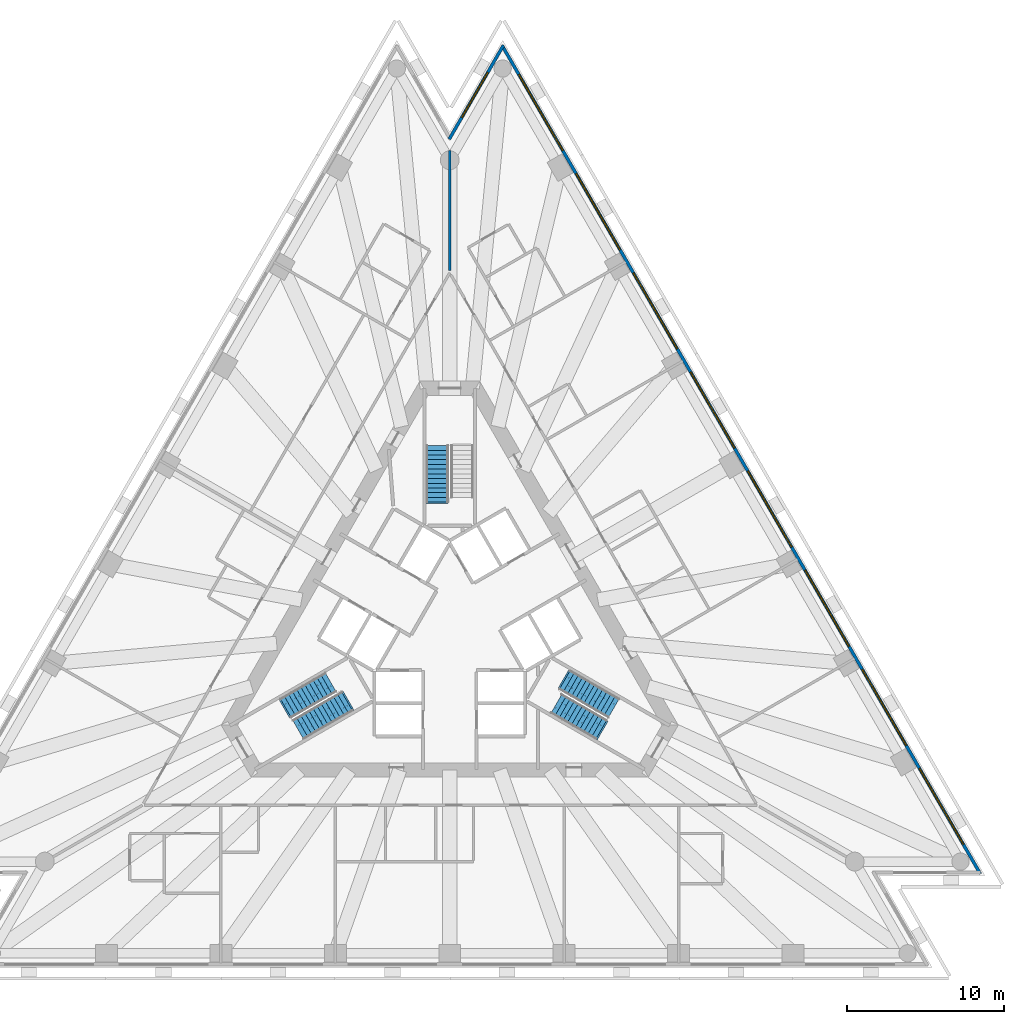
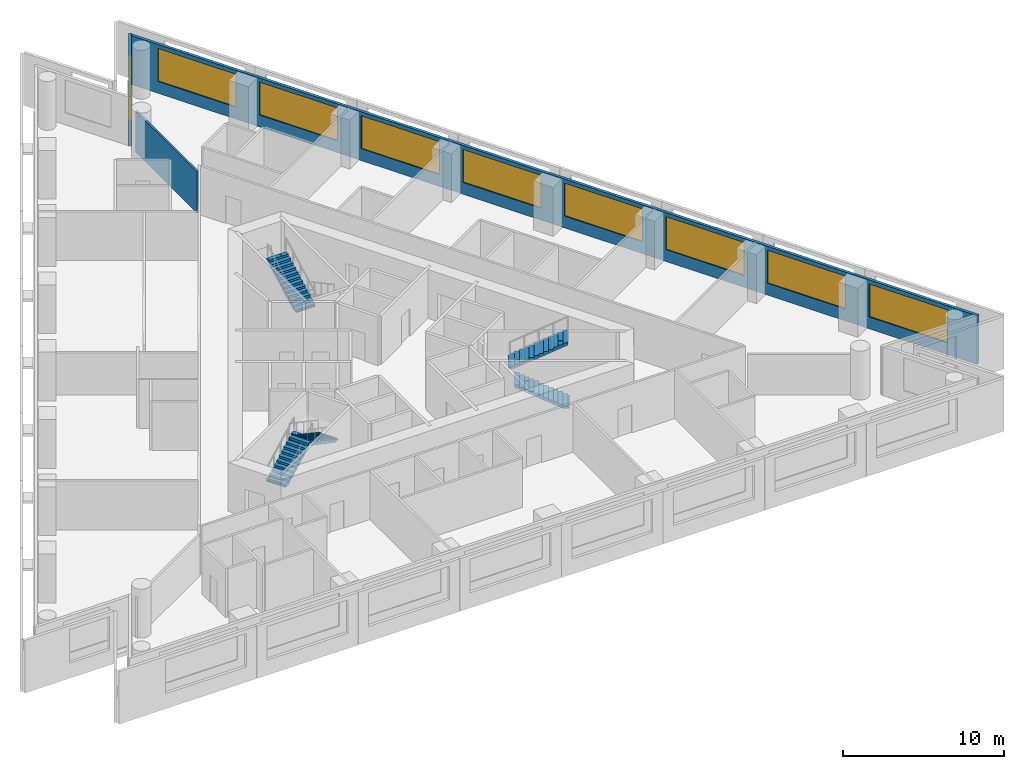
# One storey, part 8 of 11: 9 windows, 5 stair flights, 3 walls, 9 openings, 3 elements without a shape of their own.
"""IFC4 building model written with IfcOpenShell, lengths in metres."""

import ifcopenshell
import ifcopenshell.guid

model = None  # the IFC model being written
_history = None  # IfcOwnerHistory: only IFC2X3 demands one
_inside = {}  # id of a spatial element -> (the spatial element, [elements in it])
_under = {}  # id of a project, library or spatial element -> (it, [spatial elements below it])
_declared = {}  # id of a project -> (the project, [libraries it declares])
_typed = {}  # id of a type object -> (the type object, [elements of that type])
_made_of = {}  # id of a material, layer set ... -> (it, [elements and type objects made of it])


def new_model(schema):
    """Start an empty IFC model of exactly this schema.

    Asked for "IFC4X3", IfcOpenShell would pick the latest addendum, in which some entities
    have other attributes; the version numbers below select the first issue.
    IFC2X3 requires an IfcOwnerHistory on every rooted entity: one is made here for all.
    """
    global model, _history
    if schema == "IFC4X3":
        model = ifcopenshell.file(schema_version=(4, 3, 0, 0))
    else:
        model = ifcopenshell.file(schema=schema)
    _inside.clear()
    _under.clear()
    _declared.clear()
    _typed.clear()
    _made_of.clear()
    _history = None
    if model.schema == "IFC2X3":
        org = make("IfcOrganization", Name="unknown")
        user = make(
            "IfcPersonAndOrganization",
            ThePerson=make("IfcPerson", FamilyName="unknown"),
            TheOrganization=org,
        )
        app = make(
            "IfcApplication",
            ApplicationDeveloper=org,
            Version="unknown",
            ApplicationFullName="unknown",
            ApplicationIdentifier="unknown",
        )
        _history = make(
            "IfcOwnerHistory",
            OwningUser=user,
            OwningApplication=app,
            ChangeAction="ADDED",
            CreationDate=0,
        )
    return model


def make(cls, **values):
    """One entity of the class cls with the attributes given. An attribute that is None is left unset."""
    return model.create_entity(
        cls, **{name: value for name, value in values.items() if value is not None}
    )


def rooted(cls, **values):
    """An entity with a GlobalId (a new one), such as an element, a storey or a relation."""
    return make(cls, GlobalId=ifcopenshell.guid.new(), OwnerHistory=_history, **values)


def si_unit(unit_type, name, prefix=None):
    """IfcSIUnit, for example si_unit("LENGTHUNIT", "METRE", prefix="MILLI")."""
    return make("IfcSIUnit", UnitType=unit_type, Prefix=prefix, Name=name)


def assignment(units):
    """IfcUnitAssignment: the units of a project."""
    return None if units is None else make("IfcUnitAssignment", Units=units)


def point(xyz):
    """IfcCartesianPoint."""
    return None if xyz is None else make("IfcCartesianPoint", Coordinates=xyz)


def direction(xyz):
    """IfcDirection."""
    return None if xyz is None else make("IfcDirection", DirectionRatios=xyz)


def frame(location, z_axis=None, x_axis=None):
    """IfcAxis2Placement3D, a coordinate frame: its origin and axes. An axis left out is left unset."""
    return make(
        "IfcAxis2Placement3D",
        Location=point(location),
        Axis=direction(z_axis),
        RefDirection=direction(x_axis),
    )


def frame_2d(location, x_axis=None):
    """IfcAxis2Placement2D, a coordinate frame in the plane: its origin and x axis."""
    return make(
        "IfcAxis2Placement2D", Location=point(location), RefDirection=direction(x_axis)
    )


def origin():
    """The frame at (0, 0, 0) with its axes left unset."""
    return frame((0.0, 0.0, 0.0))


def place(relative_to, where):
    """IfcLocalPlacement: puts the frame where relative to a parent placement (None: the world)."""
    return make(
        "IfcLocalPlacement", PlacementRelTo=relative_to, RelativePlacement=where
    )


def context(
    kind, dimensions, precision=None, world=None, true_north=None, identifier=None
):
    """IfcGeometricRepresentationContext, for example the 3D "Model" context."""
    return make(
        "IfcGeometricRepresentationContext",
        ContextIdentifier=identifier,
        ContextType=kind,
        CoordinateSpaceDimension=dimensions,
        Precision=precision,
        WorldCoordinateSystem=world,
        TrueNorth=true_north,
    )


def subcontext(parent, identifier, kind, view, scale=None):
    """IfcGeometricRepresentationSubContext, for example "Body" below "Model"."""
    return make(
        "IfcGeometricRepresentationSubContext",
        ContextIdentifier=identifier,
        ContextType=kind,
        ParentContext=parent,
        TargetScale=scale,
        TargetView=view,
    )


def project(units=None, contexts=None):
    """IfcProject with its units and contexts."""
    return rooted(
        "IfcProject",
        Name="project",
        RepresentationContexts=contexts,
        UnitsInContext=assignment(units),
    )


def spatial(cls, under=None, at=None, **own):
    """A site, building, storey or space (cls), placed at a placement, below another one or the project."""
    s = rooted(cls, ObjectPlacement=at, **own)
    if under is not None:
        _under.setdefault(under.id(), (under, []))[1].append(s)
    return s


def polyline(points):
    """IfcPolyline through the points."""
    return make("IfcPolyline", Points=[point(p) for p in points])


def profile(cls, at=None, kind="AREA", **sizes):
    """A parametric profile (cls). Its sizes go by their IFC names, for example OverallWidth=200.0."""
    return make(cls, ProfileType=kind, Position=at, **sizes)


def rectangle(**sizes):
    """IfcRectangleProfileDef."""
    return profile("IfcRectangleProfileDef", **sizes)


def outline(outer, holes=None, kind="AREA"):
    """IfcArbitraryClosedProfileDef: a profile drawn as a closed curve; with holes, ...WithVoids."""
    if holes is None:
        return make("IfcArbitraryClosedProfileDef", ProfileType=kind, OuterCurve=outer)
    return make(
        "IfcArbitraryProfileDefWithVoids",
        ProfileType=kind,
        OuterCurve=outer,
        InnerCurves=holes,
    )


def extrude(swept, where, along, depth):
    """IfcExtrudedAreaSolid: the profile swept, set in the frame where, extruded along a direction by depth."""
    return make(
        "IfcExtrudedAreaSolid",
        SweptArea=swept,
        Position=where,
        ExtrudedDirection=direction(along),
        Depth=depth,
    )


def shape(context_of_items, identifier, shape_type, items):
    """IfcShapeRepresentation: the items that make up one representation, for example the "Body"."""
    return make(
        "IfcShapeRepresentation",
        ContextOfItems=context_of_items,
        RepresentationIdentifier=identifier,
        RepresentationType=shape_type,
        Items=items,
    )


def material(Name=None, Category=None):
    """IfcMaterial."""
    return make("IfcMaterial", Name=Name, Category=Category)


def layer(
    of_material, thickness, ventilated=None, Name=None, Category=None, Priority=None
):
    """IfcMaterialLayer: one layer of a wall or slab, of a material (None: an air gap)."""
    return make(
        "IfcMaterialLayer",
        Material=of_material,
        LayerThickness=thickness,
        IsVentilated=ventilated,
        Name=Name,
        Category=Category,
        Priority=Priority,
    )


def layer_set(layers, Name=None):
    """IfcMaterialLayerSet."""
    return make("IfcMaterialLayerSet", MaterialLayers=layers, LayerSetName=Name)


def layer_usage(for_layer_set, set_direction, sense, offset, extent=None):
    """IfcMaterialLayerSetUsage: how a layer set lies in its element."""
    return make(
        "IfcMaterialLayerSetUsage",
        ForLayerSet=for_layer_set,
        LayerSetDirection=set_direction,
        DirectionSense=sense,
        OffsetFromReferenceLine=offset,
        ReferenceExtent=extent,
    )


def made_of(thing, what):
    """Note that an element or type object is made of a material, layer set ...; save() writes the relation."""
    if what is not None:
        _made_of.setdefault(what.id(), (what, []))[1].append(thing)
    return thing


def type_object(cls, material=None, **own):
    """A type object (cls), such as IfcWallType, which elements share."""
    return made_of(rooted(cls, **own), material)


def element(
    cls,
    number,
    at=None,
    inside=None,
    cuts=None,
    type_object=None,
    material=None,
    context=None,
    identifier="Body",
    shape_type=None,
    held_by="IfcProductDefinitionShape",
    body=None,
    shapes=None,
    **own,
):
    """One element of the class cls, such as IfcWall. Its Tag is "e" and its number.

    at: its placement. inside: the storey or other place that contains it. cuts: it is an
    opening in that element (IfcRelVoidsElement). A single representation is given by context,
    identifier, shape_type and body (its items); several are given by shapes. held_by: the class
    of the entity that holds the representations. save() writes the other relations.
    """
    e = rooted(cls, Tag="e%d" % number, ObjectPlacement=at, **own)
    if body is not None:
        shapes = [shape(context, identifier, shape_type, body)]
    if shapes is not None:
        e.Representation = make(held_by, Representations=shapes)
    if inside is not None:
        _inside.setdefault(inside.id(), (inside, []))[1].append(e)
    if cuts is not None:
        rooted(
            "IfcRelVoidsElement", RelatingBuildingElement=cuts, RelatedOpeningElement=e
        )
    if type_object is not None:
        _typed.setdefault(type_object.id(), (type_object, []))[1].append(e)
    return made_of(e, material)


def fill(opening, filler):
    """IfcRelFillsElement: the door or window that sits in an opening."""
    return rooted(
        "IfcRelFillsElement",
        RelatingOpeningElement=opening,
        RelatedBuildingElement=filler,
    )


def aggregate(whole, parts):
    """IfcRelAggregates: a whole, such as a stair, and the parts it consists of."""
    return rooted("IfcRelAggregates", RelatingObject=whole, RelatedObjects=parts)


def save(model, path):
    """Write the relations noted so far, then the file.

    IfcRelAggregates (storeys below a building ...), IfcRelContainedInSpatialStructure (elements
    in a storey), IfcRelDefinesByType, IfcRelAssociatesMaterial and IfcRelDeclares: one each for
    every whole, place, type object, material and project.
    """
    for whole, parts in _under.values():
        aggregate(whole, parts)
    for where, things in _inside.values():
        rooted(
            "IfcRelContainedInSpatialStructure",
            RelatedElements=things,
            RelatingStructure=where,
        )
    for kind, things in _typed.values():
        rooted("IfcRelDefinesByType", RelatedObjects=things, RelatingType=kind)
    for what, things in _made_of.values():
        rooted("IfcRelAssociatesMaterial", RelatedObjects=things, RelatingMaterial=what)
    for by, libraries in _declared.values():
        rooted("IfcRelDeclares", RelatingContext=by, RelatedDefinitions=libraries)
    model.write(path)


model = new_model("IFC4")

# Units and contexts
model_context = context("Model", 3, precision=1e-05, world=origin(), true_north=direction((0.0, 1.0)))
body_context = subcontext(model_context, "Body", "Model", "MODEL_VIEW")
ifc_project = project(units=[si_unit("LENGTHUNIT", "METRE"), si_unit("AREAUNIT", "SQUARE_METRE"), si_unit("VOLUMEUNIT", "CUBIC_METRE"), si_unit("PLANEANGLEUNIT", "RADIAN"), si_unit("MASSUNIT", "GRAM", prefix="KILO")], contexts=[model_context])

# Site, building, storey
site_placement = place(None, origin())
site = spatial("IfcSite", under=ifc_project, at=site_placement, CompositionType="ELEMENT")
building_placement = place(site_placement, origin())
building = spatial("IfcBuilding", under=site, at=building_placement, Name="Triada Interchange Tower", CompositionType="ELEMENT")
storey_placement = place(building_placement, frame((0.0, 0.0, 75.300048828125)))
storey = spatial("IfcBuildingStorey", under=building, at=storey_placement, Name="L16", CompositionType="ELEMENT", Elevation=75.300048828125)

# Wall, openings, windows
ifc_material_1 = material(Name="Cement board")
ifc_layer_1 = layer(ifc_material_1, 0.02001953125, Name="Cement board cladding")
ifc_material_2 = material(Name="Sheathing board")
ifc_layer_2 = layer(ifc_material_2, 0.014892578125, Name="Sheathing board")
ifc_material_3 = material(Name="Mineral wool")
ifc_layer_3 = layer(ifc_material_3, 0.14990234375, Name="Mineral wool between steel studs")
ifc_material_4 = material(Name="Gypsum board")
ifc_layer_4 = layer(ifc_material_4, 0.014892578125, Name="Plasterboard lining")
ifc_layer_set_1 = layer_set([ifc_layer_1, ifc_layer_2, ifc_layer_3, ifc_layer_4], Name="External wall 200")
ifc_layer_usage = layer_usage(ifc_layer_set_1, "AXIS2", "POSITIVE", -0.10009765625)
wall_type_1 = type_object("IfcWallType", Name="External wall 200", PredefinedType="ELEMENTEDWALL", material=ifc_layer_set_1)
wall_1_placement = place(storey_placement, frame((33.779052734375, -15.662109375, 0.0), z_axis=(0.0, 0.0, 1.0), x_axis=(-0.500000131003, 0.86602532815, 0.0)))
wall_1 = element("IfcWall", 1, at=wall_1_placement, inside=storey, type_object=wall_type_1, material=ifc_layer_usage, Name="External wall L16 NE", PredefinedType="ELEMENTEDWALL", context=body_context, shape_type="SweptSolid", body=[
    extrude(rectangle(XDim=60.88623046875, YDim=0.199951171875, at=frame_2d((30.443115234375, 0.0))), origin(), (0.0, 0.0, 1.0), 3.699951171875),
])
opening_1_placement = place(wall_1_placement, frame((2.14697265625, 0.0, 0.89990234375)))
opening_1 = element("IfcOpeningElement", 2, at=opening_1_placement, cuts=wall_1, Name="Opening WA21", PredefinedType="OPENING", context=body_context, shape_type="SweptSolid", body=[
    extrude(rectangle(XDim=5.60009765625, YDim=2.5, at=frame_2d((2.800048828125, 1.25))), frame((0.0, 0.10986328125, 0.0), z_axis=(0.0, -1.0, 0.0), x_axis=(1.0, 0.0, 0.0)), (0.0, 0.0, 1.0), 0.219970703125),
])
opening_2_placement = place(wall_1_placement, frame((9.43408203125, 0.0, 0.89990234375)))
opening_2 = element("IfcOpeningElement", 3, at=opening_2_placement, cuts=wall_1, Name="Opening WA22", PredefinedType="OPENING", context=body_context, shape_type="SweptSolid", body=[
    extrude(rectangle(XDim=5.60009765625, YDim=2.5, at=frame_2d((2.800048828125, 1.25))), frame((0.0, 0.10986328125, 0.0), z_axis=(0.0, -1.0, 0.0), x_axis=(1.0, 0.0, 0.0)), (0.0, 0.0, 1.0), 0.219970703125),
])
opening_3_placement = place(wall_1_placement, frame((16.721923828125, 0.0, 0.89990234375)))
opening_3 = element("IfcOpeningElement", 4, at=opening_3_placement, cuts=wall_1, Name="Opening WA23", PredefinedType="OPENING", context=body_context, shape_type="SweptSolid", body=[
    extrude(rectangle(XDim=5.60009765625, YDim=2.5, at=frame_2d((2.800048828125, 1.25))), frame((0.0, 0.10986328125, 0.0), z_axis=(0.0, -1.0, 0.0), x_axis=(1.0, 0.0, 0.0)), (0.0, 0.0, 1.0), 0.219970703125),
])
opening_4_placement = place(wall_1_placement, frame((24.009033203125, 0.0, 0.89990234375)))
opening_4 = element("IfcOpeningElement", 5, at=opening_4_placement, cuts=wall_1, Name="Opening WA24", PredefinedType="OPENING", context=body_context, shape_type="SweptSolid", body=[
    extrude(rectangle(XDim=5.60009765625, YDim=2.5, at=frame_2d((2.800048828125, 1.25))), frame((0.0, 0.10986328125, 0.0), z_axis=(0.0, -1.0, 0.0), x_axis=(1.0, 0.0, 0.0)), (0.0, 0.0, 1.0), 0.219970703125),
])
opening_5_placement = place(wall_1_placement, frame((31.297119140625, 0.0, 0.89990234375)))
opening_5 = element("IfcOpeningElement", 6, at=opening_5_placement, cuts=wall_1, Name="Opening WA25", PredefinedType="OPENING", context=body_context, shape_type="SweptSolid", body=[
    extrude(rectangle(XDim=5.60009765625, YDim=2.5, at=frame_2d((2.800048828125, 1.25))), frame((0.0, 0.10986328125, 0.0), z_axis=(0.0, -1.0, 0.0), x_axis=(1.0, 0.0, 0.0)), (0.0, 0.0, 1.0), 0.219970703125),
])
opening_6_placement = place(wall_1_placement, frame((38.583984375, 0.0, 0.89990234375)))
opening_6 = element("IfcOpeningElement", 7, at=opening_6_placement, cuts=wall_1, Name="Opening WA26", PredefinedType="OPENING", context=body_context, shape_type="SweptSolid", body=[
    extrude(rectangle(XDim=5.60009765625, YDim=2.5, at=frame_2d((2.800048828125, 1.25))), frame((0.0, 0.10986328125, 0.0), z_axis=(0.0, -1.0, 0.0), x_axis=(1.0, 0.0, 0.0)), (0.0, 0.0, 1.0), 0.219970703125),
])
opening_7_placement = place(wall_1_placement, frame((45.8720703125, 0.0, 0.89990234375)))
opening_7 = element("IfcOpeningElement", 8, at=opening_7_placement, cuts=wall_1, Name="Opening WA27", PredefinedType="OPENING", context=body_context, shape_type="SweptSolid", body=[
    extrude(rectangle(XDim=5.60009765625, YDim=2.5, at=frame_2d((2.800048828125, 1.25))), frame((0.0, 0.10986328125, 0.0), z_axis=(0.0, -1.0, 0.0), x_axis=(1.0, 0.0, 0.0)), (0.0, 0.0, 1.0), 0.219970703125),
])
opening_8_placement = place(wall_1_placement, frame((53.159912109375, 0.0, 0.89990234375)))
opening_8 = element("IfcOpeningElement", 9, at=opening_8_placement, cuts=wall_1, Name="Opening WA28", PredefinedType="OPENING", context=body_context, shape_type="SweptSolid", body=[
    extrude(rectangle(XDim=5.60009765625, YDim=2.5, at=frame_2d((2.800048828125, 1.25))), frame((0.0, 0.10986328125, 0.0), z_axis=(0.0, -1.0, 0.0), x_axis=(1.0, 0.0, 0.0)), (0.0, 0.0, 1.0), 0.219970703125),
])
ifc_material_5 = material(Name="Double glazed aluminium window", Category="aluminium")
window_type_1 = type_object("IfcWindowType", Name="Ribbon window A face", PartitioningType="SINGLE_PANEL", PredefinedType="WINDOW", material=ifc_material_5)
window_1_placement = place(opening_1_placement, origin())
window_1 = element("IfcWindow", 10, at=window_1_placement, inside=storey, type_object=window_type_1, Name="Window L16 NE 1", OverallHeight=2.5, OverallWidth=5.60009765625, PartitioningType="SINGLE_PANEL", PredefinedType="WINDOW", context=body_context, shape_type="SweptSolid", body=[
    extrude(rectangle(XDim=5.60009765625, YDim=2.5, at=frame_2d((2.800048828125, 1.25))), frame((0.0, 0.030029296875, 0.0), z_axis=(0.0, -1.0, 0.0), x_axis=(1.0, 0.0, 0.0)), (0.0, 0.0, 1.0), 0.06005859375),
])
fill(opening_1, window_1)
window_2_placement = place(opening_2_placement, origin())
window_2 = element("IfcWindow", 11, at=window_2_placement, inside=storey, type_object=window_type_1, Name="Window L16 NE 2", OverallHeight=2.5, OverallWidth=5.60009765625, PartitioningType="SINGLE_PANEL", PredefinedType="WINDOW", context=body_context, shape_type="SweptSolid", body=[
    extrude(rectangle(XDim=5.60009765625, YDim=2.5, at=frame_2d((2.800048828125, 1.25))), frame((0.0, 0.030029296875, 0.0), z_axis=(0.0, -1.0, 0.0), x_axis=(1.0, 0.0, 0.0)), (0.0, 0.0, 1.0), 0.06005859375),
])
fill(opening_2, window_2)
window_3_placement = place(opening_3_placement, origin())
window_3 = element("IfcWindow", 12, at=window_3_placement, inside=storey, type_object=window_type_1, Name="Window L16 NE 3", OverallHeight=2.5, OverallWidth=5.60009765625, PartitioningType="SINGLE_PANEL", PredefinedType="WINDOW", context=body_context, shape_type="SweptSolid", body=[
    extrude(rectangle(XDim=5.60009765625, YDim=2.5, at=frame_2d((2.800048828125, 1.25))), frame((0.0, 0.030029296875, 0.0), z_axis=(0.0, -1.0, 0.0), x_axis=(1.0, 0.0, 0.0)), (0.0, 0.0, 1.0), 0.06005859375),
])
fill(opening_3, window_3)
window_4_placement = place(opening_4_placement, origin())
window_4 = element("IfcWindow", 13, at=window_4_placement, inside=storey, type_object=window_type_1, Name="Window L16 NE 4", OverallHeight=2.5, OverallWidth=5.60009765625, PartitioningType="SINGLE_PANEL", PredefinedType="WINDOW", context=body_context, shape_type="SweptSolid", body=[
    extrude(rectangle(XDim=5.60009765625, YDim=2.5, at=frame_2d((2.800048828125, 1.25))), frame((0.0, 0.030029296875, 0.0), z_axis=(0.0, -1.0, 0.0), x_axis=(1.0, 0.0, 0.0)), (0.0, 0.0, 1.0), 0.06005859375),
])
fill(opening_4, window_4)
window_5_placement = place(opening_5_placement, origin())
window_5 = element("IfcWindow", 14, at=window_5_placement, inside=storey, type_object=window_type_1, Name="Window L16 NE 5", OverallHeight=2.5, OverallWidth=5.60009765625, PartitioningType="SINGLE_PANEL", PredefinedType="WINDOW", context=body_context, shape_type="SweptSolid", body=[
    extrude(rectangle(XDim=5.60009765625, YDim=2.5, at=frame_2d((2.800048828125, 1.25))), frame((0.0, 0.030029296875, 0.0), z_axis=(0.0, -1.0, 0.0), x_axis=(1.0, 0.0, 0.0)), (0.0, 0.0, 1.0), 0.06005859375),
])
fill(opening_5, window_5)
window_6_placement = place(opening_6_placement, origin())
window_6 = element("IfcWindow", 15, at=window_6_placement, inside=storey, type_object=window_type_1, Name="Window L16 NE 6", OverallHeight=2.5, OverallWidth=5.60009765625, PartitioningType="SINGLE_PANEL", PredefinedType="WINDOW", context=body_context, shape_type="SweptSolid", body=[
    extrude(rectangle(XDim=5.60009765625, YDim=2.5, at=frame_2d((2.800048828125, 1.25))), frame((0.0, 0.030029296875, 0.0), z_axis=(0.0, -1.0, 0.0), x_axis=(1.0, 0.0, 0.0)), (0.0, 0.0, 1.0), 0.06005859375),
])
fill(opening_6, window_6)
window_7_placement = place(opening_7_placement, origin())
window_7 = element("IfcWindow", 16, at=window_7_placement, inside=storey, type_object=window_type_1, Name="Window L16 NE 7", OverallHeight=2.5, OverallWidth=5.60009765625, PartitioningType="SINGLE_PANEL", PredefinedType="WINDOW", context=body_context, shape_type="SweptSolid", body=[
    extrude(rectangle(XDim=5.60009765625, YDim=2.5, at=frame_2d((2.800048828125, 1.25))), frame((0.0, 0.030029296875, 0.0), z_axis=(0.0, -1.0, 0.0), x_axis=(1.0, 0.0, 0.0)), (0.0, 0.0, 1.0), 0.06005859375),
])
fill(opening_7, window_7)
window_8_placement = place(opening_8_placement, origin())
window_8 = element("IfcWindow", 17, at=window_8_placement, inside=storey, type_object=window_type_1, Name="Window L16 NE 8", OverallHeight=2.5, OverallWidth=5.60009765625, PartitioningType="SINGLE_PANEL", PredefinedType="WINDOW", context=body_context, shape_type="SweptSolid", body=[
    extrude(rectangle(XDim=5.60009765625, YDim=2.5, at=frame_2d((2.800048828125, 1.25))), frame((0.0, 0.030029296875, 0.0), z_axis=(0.0, -1.0, 0.0), x_axis=(1.0, 0.0, 0.0)), (0.0, 0.0, 1.0), 0.06005859375),
])
fill(opening_8, window_8)

# Wall, opening, window
wall_2_placement = place(storey_placement, frame((3.416015625, 37.083984375, 0.0), z_axis=(0.0, 0.0, 1.0), x_axis=(-0.500008243208, -0.866020644514, 0.0)))
wall_2 = element("IfcWall", 18, at=wall_2_placement, inside=storey, type_object=wall_type_1, material=ifc_layer_usage, Name="External wall L16 N-1", PredefinedType="ELEMENTEDWALL", context=body_context, shape_type="SweptSolid", body=[
    extrude(rectangle(XDim=6.90185546875, YDim=0.199951171875, at=frame_2d((3.450927734375, 0.0))), origin(), (0.0, 0.0, 1.0), 3.699951171875),
])
opening_9_placement = place(wall_2_placement, frame((1.989990234375, 0.0, 0.89990234375)))
opening_9 = element("IfcOpeningElement", 19, at=opening_9_placement, cuts=wall_2, Name="Opening WA29", PredefinedType="OPENING", context=body_context, shape_type="SweptSolid", body=[
    extrude(rectangle(XDim=3.300048828125, YDim=2.5, at=frame_2d((1.64990234375, 1.25))), frame((0.0, 0.10986328125, 0.0), z_axis=(0.0, -1.0, 0.0), x_axis=(1.0, 0.0, 0.0)), (0.0, 0.0, 1.0), 0.219970703125),
])
window_type_2 = type_object("IfcWindowType", Name="Ribbon window A pocket", PartitioningType="SINGLE_PANEL", PredefinedType="WINDOW", material=ifc_material_5)
window_9_placement = place(opening_9_placement, origin())
window_9 = element("IfcWindow", 20, at=window_9_placement, inside=storey, type_object=window_type_2, Name="Window L16 N-1 1", OverallHeight=2.5, OverallWidth=3.300048828125, PartitioningType="SINGLE_PANEL", PredefinedType="WINDOW", context=body_context, shape_type="SweptSolid", body=[
    extrude(rectangle(XDim=3.300048828125, YDim=2.5, at=frame_2d((1.64990234375, 1.25))), frame((0.0, 0.030029296875, 0.0), z_axis=(0.0, -1.0, 0.0), x_axis=(1.0, 0.0, 0.0)), (0.0, 0.0, 1.0), 0.06005859375),
])
fill(opening_9, window_9)

# Wall
ifc_material_6 = material(Name="Gypsum board partition")
ifc_layer_5 = layer(ifc_material_6, 0.14990234375)
ifc_layer_set_2 = layer_set([ifc_layer_5], Name="PARTITION 150 EI 180")
wall_type_2 = type_object("IfcWallType", Name="PARTITION 150 EI 180", PredefinedType="PARTITIONING", material=ifc_layer_set_2)
wall_3_placement = place(storey_placement, frame((0.0, 22.75, 0.0), z_axis=(0.0, 0.0, 1.0), x_axis=(0.0, 1.0, 0.0)))
element("IfcWall", 21, at=wall_3_placement, inside=storey, type_object=wall_type_2, Name="Wall L15 20", PredefinedType="PARTITIONING", context=body_context, shape_type="SweptSolid", body=[
    extrude(rectangle(XDim=7.637939453125, YDim=0.14990234375, at=frame_2d((3.81884765625, 0.0))), origin(), (0.0, 0.0, 1.0), 3.099853515625),
])

# Stair, stair flight
ifc_material_7 = material(Name="Concrete C35/45", Category="concrete")
stair_type = type_object("IfcStairType", Name="HALF TURN STAIR 1400", PredefinedType="HALF_TURN_STAIR", material=ifc_material_7)
stair_1_placement = place(storey_placement, origin())
stair_1 = element("IfcStair", 22, at=stair_1_placement, inside=storey, type_object=stair_type, Name="Exit stair S15-1", PredefinedType="HALF_TURN_STAIR")
stair_flight_type = type_object("IfcStairFlightType", Name="STRAIGHT STAIR FLIGHT 1400", PredefinedType="STRAIGHT", material=ifc_material_7)
stair_flight_1_placement = place(storey_placement, frame((-0.800048828125, 8.0, 1.919921875), z_axis=(0.0, 0.0, 1.0), x_axis=(0.0, 1.0, 0.0)))
stair_flight_1 = element("IfcStairFlight", 23, at=stair_flight_1_placement, type_object=stair_flight_type, Name="S15-1 flight 2", NumberOfRisers=13, NumberOfTreads=12, PredefinedType="STRAIGHT", RiserHeight=0.16, TreadLength=0.3, context=body_context, shape_type="SweptSolid", body=[
    extrude(outline(polyline([(-0.10009765625, 0.0), (-0.10009765625, 0.02001953125), (0.0, 0.02001953125), (0.0, 0.159912109375), (0.300048828125, 0.159912109375), (0.300048828125, 0.320068359375), (0.60009765625, 0.320068359375), (0.60009765625, 0.47998046875), (0.89990234375, 0.47998046875), (0.89990234375, 0.639892578125), (1.199951171875, 0.639892578125), (1.199951171875, 0.800048828125), (1.5, 0.800048828125), (1.5, 0.9599609375), (1.800048828125, 0.9599609375), (1.800048828125, 1.1201171875), (2.10009765625, 1.1201171875), (2.10009765625, 1.280029296875), (2.39990234375, 1.280029296875), (2.39990234375, 1.43994140625), (2.699951171875, 1.43994140625), (2.699951171875, 1.60009765625), (3.0, 1.60009765625), (3.0, 1.760009765625), (3.300048828125, 1.760009765625), (3.300048828125, 1.919921875), (3.60009765625, 1.919921875), (3.60400390625, 1.919921875), (3.60400390625, 2.080078125), (3.60400390625, 1.75), (0.318603515625, 0.0), (-0.10009765625, 0.0)])), frame((0.0, 0.699951171875, 0.0), z_axis=(0.0, -1.0, 0.0), x_axis=(1.0, 0.0, 0.0)), (0.0, 0.0, 1.0), 0.46533203125),
    extrude(outline(polyline([(-0.10009765625, 0.0), (-0.10009765625, 0.02001953125), (0.0, 0.02001953125), (0.0, 0.159912109375), (0.300048828125, 0.159912109375), (0.300048828125, 0.320068359375), (0.60009765625, 0.320068359375), (0.60009765625, 0.47998046875), (0.89990234375, 0.47998046875), (0.89990234375, 0.639892578125), (1.199951171875, 0.639892578125), (1.199951171875, 0.800048828125), (1.5, 0.800048828125), (1.5, 0.9599609375), (1.800048828125, 0.9599609375), (1.800048828125, 1.1201171875), (2.10009765625, 1.1201171875), (2.10009765625, 1.280029296875), (2.39990234375, 1.280029296875), (2.39990234375, 1.43994140625), (2.699951171875, 1.43994140625), (2.699951171875, 1.60009765625), (3.0, 1.60009765625), (3.0, 1.760009765625), (3.300048828125, 1.760009765625), (3.300048828125, 1.919921875), (3.60009765625, 1.919921875), (3.60400390625, 1.919921875), (3.60400390625, 2.080078125), (3.60400390625, 1.75), (0.318603515625, 0.0), (-0.10009765625, 0.0)])), frame((0.0, 0.232666015625, 0.0), z_axis=(0.0, -1.0, 0.0), x_axis=(1.0, 0.0, 0.0)), (0.0, 0.0, 1.0), 0.46533203125),
    extrude(outline(polyline([(-0.10009765625, 0.0), (-0.10009765625, 0.02001953125), (0.0, 0.02001953125), (0.0, 0.159912109375), (0.300048828125, 0.159912109375), (0.300048828125, 0.320068359375), (0.60009765625, 0.320068359375), (0.60009765625, 0.47998046875), (0.89990234375, 0.47998046875), (0.89990234375, 0.639892578125), (1.199951171875, 0.639892578125), (1.199951171875, 0.800048828125), (1.5, 0.800048828125), (1.5, 0.9599609375), (1.800048828125, 0.9599609375), (1.800048828125, 1.1201171875), (2.10009765625, 1.1201171875), (2.10009765625, 1.280029296875), (2.39990234375, 1.280029296875), (2.39990234375, 1.43994140625), (2.699951171875, 1.43994140625), (2.699951171875, 1.60009765625), (3.0, 1.60009765625), (3.0, 1.760009765625), (3.300048828125, 1.760009765625), (3.300048828125, 1.919921875), (3.60009765625, 1.919921875), (3.60400390625, 1.919921875), (3.60400390625, 2.080078125), (3.60400390625, 1.75), (0.318603515625, 0.0), (-0.10009765625, 0.0)])), frame((0.0, -0.234619140625, 0.0), z_axis=(0.0, -1.0, 0.0), x_axis=(1.0, 0.0, 0.0)), (0.0, 0.0, 1.0), 0.46533203125),
])
aggregate(stair_1, [stair_flight_1])

# Stair, stair flights
stair_2_placement = place(storey_placement, origin())
stair_2 = element("IfcStair", 24, at=stair_2_placement, inside=storey, type_object=stair_type, Name="Exit stair S15-2", PredefinedType="HALF_TURN_STAIR")
stair_flight_2_placement = place(storey_placement, frame((-10.446044921875, -5.10693359375, 0.0), z_axis=(0.0, 0.0, 1.0), x_axis=(0.866025403784, 0.5, 0.0)))
stair_flight_2 = element("IfcStairFlight", 25, at=stair_flight_2_placement, type_object=stair_flight_type, Name="S15-2 flight 1", NumberOfRisers=12, NumberOfTreads=11, PredefinedType="STRAIGHT", RiserHeight=0.16, TreadLength=0.3, context=body_context, shape_type="SweptSolid", body=[
    extrude(outline(polyline([(-0.10009765625, 0.0), (-0.10009765625, 0.02001953125), (0.0, 0.02001953125), (0.0, 0.159912109375), (0.300048828125, 0.159912109375), (0.300048828125, 0.320068359375), (0.60009765625, 0.320068359375), (0.60009765625, 0.47998046875), (0.89990234375, 0.47998046875), (0.89990234375, 0.639892578125), (1.199951171875, 0.639892578125), (1.199951171875, 0.800048828125), (1.5, 0.800048828125), (1.5, 0.9599609375), (1.800048828125, 0.9599609375), (1.800048828125, 1.1201171875), (2.10009765625, 1.1201171875), (2.10009765625, 1.280029296875), (2.39990234375, 1.280029296875), (2.39990234375, 1.43994140625), (2.699951171875, 1.43994140625), (2.699951171875, 1.60009765625), (3.0, 1.60009765625), (3.0, 1.760009765625), (3.300048828125, 1.760009765625), (3.303955078125, 1.760009765625), (3.303955078125, 1.919921875), (3.303955078125, 1.590087890625), (0.318603515625, 0.0), (-0.10009765625, 0.0)])), frame((0.0, 0.699951171875, 0.0), z_axis=(0.0, -1.0, 0.0), x_axis=(1.0, 0.0, 0.0)), (0.0, 0.0, 1.0), 0.46533203125),
    extrude(outline(polyline([(-0.10009765625, 0.0), (-0.10009765625, 0.02001953125), (0.0, 0.02001953125), (0.0, 0.159912109375), (0.300048828125, 0.159912109375), (0.300048828125, 0.320068359375), (0.60009765625, 0.320068359375), (0.60009765625, 0.47998046875), (0.89990234375, 0.47998046875), (0.89990234375, 0.639892578125), (1.199951171875, 0.639892578125), (1.199951171875, 0.800048828125), (1.5, 0.800048828125), (1.5, 0.9599609375), (1.800048828125, 0.9599609375), (1.800048828125, 1.1201171875), (2.10009765625, 1.1201171875), (2.10009765625, 1.280029296875), (2.39990234375, 1.280029296875), (2.39990234375, 1.43994140625), (2.699951171875, 1.43994140625), (2.699951171875, 1.60009765625), (3.0, 1.60009765625), (3.0, 1.760009765625), (3.300048828125, 1.760009765625), (3.303955078125, 1.760009765625), (3.303955078125, 1.919921875), (3.303955078125, 1.590087890625), (0.318603515625, 0.0), (-0.10009765625, 0.0)])), frame((0.0, 0.232666015625, 0.0), z_axis=(0.0, -1.0, 0.0), x_axis=(1.0, 0.0, 0.0)), (0.0, 0.0, 1.0), 0.46533203125),
    extrude(outline(polyline([(-0.10009765625, 0.0), (-0.10009765625, 0.02001953125), (0.0, 0.02001953125), (0.0, 0.159912109375), (0.300048828125, 0.159912109375), (0.300048828125, 0.320068359375), (0.60009765625, 0.320068359375), (0.60009765625, 0.47998046875), (0.89990234375, 0.47998046875), (0.89990234375, 0.639892578125), (1.199951171875, 0.639892578125), (1.199951171875, 0.800048828125), (1.5, 0.800048828125), (1.5, 0.9599609375), (1.800048828125, 0.9599609375), (1.800048828125, 1.1201171875), (2.10009765625, 1.1201171875), (2.10009765625, 1.280029296875), (2.39990234375, 1.280029296875), (2.39990234375, 1.43994140625), (2.699951171875, 1.43994140625), (2.699951171875, 1.60009765625), (3.0, 1.60009765625), (3.0, 1.760009765625), (3.300048828125, 1.760009765625), (3.303955078125, 1.760009765625), (3.303955078125, 1.919921875), (3.303955078125, 1.590087890625), (0.318603515625, 0.0), (-0.10009765625, 0.0)])), frame((0.0, -0.234619140625, 0.0), z_axis=(0.0, -1.0, 0.0), x_axis=(1.0, 0.0, 0.0)), (0.0, 0.0, 1.0), 0.46533203125),
])
stair_flight_3_placement = place(storey_placement, frame((-6.528076171875, -4.693115234375, 1.919921875), z_axis=(0.0, 0.0, 1.0), x_axis=(-0.866025403784, -0.5, 0.0)))
stair_flight_3 = element("IfcStairFlight", 26, at=stair_flight_3_placement, type_object=stair_flight_type, Name="S15-2 flight 2", NumberOfRisers=13, NumberOfTreads=12, PredefinedType="STRAIGHT", RiserHeight=0.16, TreadLength=0.3, context=body_context, shape_type="SweptSolid", body=[
    extrude(outline(polyline([(-0.10009765625, 0.0), (-0.10009765625, 0.02001953125), (0.0, 0.02001953125), (0.0, 0.159912109375), (0.300048828125, 0.159912109375), (0.300048828125, 0.320068359375), (0.60009765625, 0.320068359375), (0.60009765625, 0.47998046875), (0.89990234375, 0.47998046875), (0.89990234375, 0.639892578125), (1.199951171875, 0.639892578125), (1.199951171875, 0.800048828125), (1.5, 0.800048828125), (1.5, 0.9599609375), (1.800048828125, 0.9599609375), (1.800048828125, 1.1201171875), (2.10009765625, 1.1201171875), (2.10009765625, 1.280029296875), (2.39990234375, 1.280029296875), (2.39990234375, 1.43994140625), (2.699951171875, 1.43994140625), (2.699951171875, 1.60009765625), (3.0, 1.60009765625), (3.0, 1.760009765625), (3.300048828125, 1.760009765625), (3.300048828125, 1.919921875), (3.60009765625, 1.919921875), (3.60400390625, 1.919921875), (3.60400390625, 2.080078125), (3.60400390625, 1.75), (0.318603515625, 0.0), (-0.10009765625, 0.0)])), frame((0.0, 0.699951171875, 0.0), z_axis=(0.0, -1.0, 0.0), x_axis=(1.0, 0.0, 0.0)), (0.0, 0.0, 1.0), 0.46533203125),
    extrude(outline(polyline([(-0.10009765625, 0.0), (-0.10009765625, 0.02001953125), (0.0, 0.02001953125), (0.0, 0.159912109375), (0.300048828125, 0.159912109375), (0.300048828125, 0.320068359375), (0.60009765625, 0.320068359375), (0.60009765625, 0.47998046875), (0.89990234375, 0.47998046875), (0.89990234375, 0.639892578125), (1.199951171875, 0.639892578125), (1.199951171875, 0.800048828125), (1.5, 0.800048828125), (1.5, 0.9599609375), (1.800048828125, 0.9599609375), (1.800048828125, 1.1201171875), (2.10009765625, 1.1201171875), (2.10009765625, 1.280029296875), (2.39990234375, 1.280029296875), (2.39990234375, 1.43994140625), (2.699951171875, 1.43994140625), (2.699951171875, 1.60009765625), (3.0, 1.60009765625), (3.0, 1.760009765625), (3.300048828125, 1.760009765625), (3.300048828125, 1.919921875), (3.60009765625, 1.919921875), (3.60400390625, 1.919921875), (3.60400390625, 2.080078125), (3.60400390625, 1.75), (0.318603515625, 0.0), (-0.10009765625, 0.0)])), frame((0.0, 0.232666015625, 0.0), z_axis=(0.0, -1.0, 0.0), x_axis=(1.0, 0.0, 0.0)), (0.0, 0.0, 1.0), 0.46533203125),
    extrude(outline(polyline([(-0.10009765625, 0.0), (-0.10009765625, 0.02001953125), (0.0, 0.02001953125), (0.0, 0.159912109375), (0.300048828125, 0.159912109375), (0.300048828125, 0.320068359375), (0.60009765625, 0.320068359375), (0.60009765625, 0.47998046875), (0.89990234375, 0.47998046875), (0.89990234375, 0.639892578125), (1.199951171875, 0.639892578125), (1.199951171875, 0.800048828125), (1.5, 0.800048828125), (1.5, 0.9599609375), (1.800048828125, 0.9599609375), (1.800048828125, 1.1201171875), (2.10009765625, 1.1201171875), (2.10009765625, 1.280029296875), (2.39990234375, 1.280029296875), (2.39990234375, 1.43994140625), (2.699951171875, 1.43994140625), (2.699951171875, 1.60009765625), (3.0, 1.60009765625), (3.0, 1.760009765625), (3.300048828125, 1.760009765625), (3.300048828125, 1.919921875), (3.60009765625, 1.919921875), (3.60400390625, 1.919921875), (3.60400390625, 2.080078125), (3.60400390625, 1.75), (0.318603515625, 0.0), (-0.10009765625, 0.0)])), frame((0.0, -0.234619140625, 0.0), z_axis=(0.0, -1.0, 0.0), x_axis=(1.0, 0.0, 0.0)), (0.0, 0.0, 1.0), 0.46533203125),
])
aggregate(stair_2, [stair_flight_2, stair_flight_3])

stair_3_placement = place(storey_placement, origin())
stair_3 = element("IfcStair", 27, at=stair_3_placement, inside=storey, type_object=stair_type, Name="Exit stair S15-3", PredefinedType="HALF_TURN_STAIR")
stair_flight_4_placement = place(storey_placement, frame((9.64599609375, -6.492919921875, 0.0), z_axis=(0.0, 0.0, 1.0), x_axis=(-0.866025403784, 0.5, 0.0)))
stair_flight_4 = element("IfcStairFlight", 28, at=stair_flight_4_placement, type_object=stair_flight_type, Name="S15-3 flight 1", NumberOfRisers=12, NumberOfTreads=11, PredefinedType="STRAIGHT", RiserHeight=0.16, TreadLength=0.3, context=body_context, shape_type="SweptSolid", body=[
    extrude(outline(polyline([(-0.10009765625, 0.0), (-0.10009765625, 0.02001953125), (0.0, 0.02001953125), (0.0, 0.159912109375), (0.300048828125, 0.159912109375), (0.300048828125, 0.320068359375), (0.60009765625, 0.320068359375), (0.60009765625, 0.47998046875), (0.89990234375, 0.47998046875), (0.89990234375, 0.639892578125), (1.199951171875, 0.639892578125), (1.199951171875, 0.800048828125), (1.5, 0.800048828125), (1.5, 0.9599609375), (1.800048828125, 0.9599609375), (1.800048828125, 1.1201171875), (2.10009765625, 1.1201171875), (2.10009765625, 1.280029296875), (2.39990234375, 1.280029296875), (2.39990234375, 1.43994140625), (2.699951171875, 1.43994140625), (2.699951171875, 1.60009765625), (3.0, 1.60009765625), (3.0, 1.760009765625), (3.300048828125, 1.760009765625), (3.303955078125, 1.760009765625), (3.303955078125, 1.919921875), (3.303955078125, 1.590087890625), (0.318603515625, 0.0), (-0.10009765625, 0.0)])), frame((0.0, 0.699951171875, 0.0), z_axis=(0.0, -1.0, 0.0), x_axis=(1.0, 0.0, 0.0)), (0.0, 0.0, 1.0), 0.46533203125),
    extrude(outline(polyline([(-0.10009765625, 0.0), (-0.10009765625, 0.02001953125), (0.0, 0.02001953125), (0.0, 0.159912109375), (0.300048828125, 0.159912109375), (0.300048828125, 0.320068359375), (0.60009765625, 0.320068359375), (0.60009765625, 0.47998046875), (0.89990234375, 0.47998046875), (0.89990234375, 0.639892578125), (1.199951171875, 0.639892578125), (1.199951171875, 0.800048828125), (1.5, 0.800048828125), (1.5, 0.9599609375), (1.800048828125, 0.9599609375), (1.800048828125, 1.1201171875), (2.10009765625, 1.1201171875), (2.10009765625, 1.280029296875), (2.39990234375, 1.280029296875), (2.39990234375, 1.43994140625), (2.699951171875, 1.43994140625), (2.699951171875, 1.60009765625), (3.0, 1.60009765625), (3.0, 1.760009765625), (3.300048828125, 1.760009765625), (3.303955078125, 1.760009765625), (3.303955078125, 1.919921875), (3.303955078125, 1.590087890625), (0.318603515625, 0.0), (-0.10009765625, 0.0)])), frame((0.0, 0.232666015625, 0.0), z_axis=(0.0, -1.0, 0.0), x_axis=(1.0, 0.0, 0.0)), (0.0, 0.0, 1.0), 0.46533203125),
    extrude(outline(polyline([(-0.10009765625, 0.0), (-0.10009765625, 0.02001953125), (0.0, 0.02001953125), (0.0, 0.159912109375), (0.300048828125, 0.159912109375), (0.300048828125, 0.320068359375), (0.60009765625, 0.320068359375), (0.60009765625, 0.47998046875), (0.89990234375, 0.47998046875), (0.89990234375, 0.639892578125), (1.199951171875, 0.639892578125), (1.199951171875, 0.800048828125), (1.5, 0.800048828125), (1.5, 0.9599609375), (1.800048828125, 0.9599609375), (1.800048828125, 1.1201171875), (2.10009765625, 1.1201171875), (2.10009765625, 1.280029296875), (2.39990234375, 1.280029296875), (2.39990234375, 1.43994140625), (2.699951171875, 1.43994140625), (2.699951171875, 1.60009765625), (3.0, 1.60009765625), (3.0, 1.760009765625), (3.300048828125, 1.760009765625), (3.303955078125, 1.760009765625), (3.303955078125, 1.919921875), (3.303955078125, 1.590087890625), (0.318603515625, 0.0), (-0.10009765625, 0.0)])), frame((0.0, -0.234619140625, 0.0), z_axis=(0.0, -1.0, 0.0), x_axis=(1.0, 0.0, 0.0)), (0.0, 0.0, 1.0), 0.46533203125),
])
stair_flight_5_placement = place(storey_placement, frame((7.327880859375, -3.306884765625, 1.919921875), z_axis=(0.0, 0.0, 1.0), x_axis=(0.866025403784, -0.5, 0.0)))
stair_flight_5 = element("IfcStairFlight", 29, at=stair_flight_5_placement, type_object=stair_flight_type, Name="S15-3 flight 2", NumberOfRisers=13, NumberOfTreads=12, PredefinedType="STRAIGHT", RiserHeight=0.16, TreadLength=0.3, context=body_context, shape_type="SweptSolid", body=[
    extrude(outline(polyline([(-0.10009765625, 0.0), (-0.10009765625, 0.02001953125), (0.0, 0.02001953125), (0.0, 0.159912109375), (0.300048828125, 0.159912109375), (0.300048828125, 0.320068359375), (0.60009765625, 0.320068359375), (0.60009765625, 0.47998046875), (0.89990234375, 0.47998046875), (0.89990234375, 0.639892578125), (1.199951171875, 0.639892578125), (1.199951171875, 0.800048828125), (1.5, 0.800048828125), (1.5, 0.9599609375), (1.800048828125, 0.9599609375), (1.800048828125, 1.1201171875), (2.10009765625, 1.1201171875), (2.10009765625, 1.280029296875), (2.39990234375, 1.280029296875), (2.39990234375, 1.43994140625), (2.699951171875, 1.43994140625), (2.699951171875, 1.60009765625), (3.0, 1.60009765625), (3.0, 1.760009765625), (3.300048828125, 1.760009765625), (3.300048828125, 1.919921875), (3.60009765625, 1.919921875), (3.60400390625, 1.919921875), (3.60400390625, 2.080078125), (3.60400390625, 1.75), (0.318603515625, 0.0), (-0.10009765625, 0.0)])), frame((0.0, 0.699951171875, 0.0), z_axis=(0.0, -1.0, 0.0), x_axis=(1.0, 0.0, 0.0)), (0.0, 0.0, 1.0), 0.46533203125),
    extrude(outline(polyline([(-0.10009765625, 0.0), (-0.10009765625, 0.02001953125), (0.0, 0.02001953125), (0.0, 0.159912109375), (0.300048828125, 0.159912109375), (0.300048828125, 0.320068359375), (0.60009765625, 0.320068359375), (0.60009765625, 0.47998046875), (0.89990234375, 0.47998046875), (0.89990234375, 0.639892578125), (1.199951171875, 0.639892578125), (1.199951171875, 0.800048828125), (1.5, 0.800048828125), (1.5, 0.9599609375), (1.800048828125, 0.9599609375), (1.800048828125, 1.1201171875), (2.10009765625, 1.1201171875), (2.10009765625, 1.280029296875), (2.39990234375, 1.280029296875), (2.39990234375, 1.43994140625), (2.699951171875, 1.43994140625), (2.699951171875, 1.60009765625), (3.0, 1.60009765625), (3.0, 1.760009765625), (3.300048828125, 1.760009765625), (3.300048828125, 1.919921875), (3.60009765625, 1.919921875), (3.60400390625, 1.919921875), (3.60400390625, 2.080078125), (3.60400390625, 1.75), (0.318603515625, 0.0), (-0.10009765625, 0.0)])), frame((0.0, 0.232666015625, 0.0), z_axis=(0.0, -1.0, 0.0), x_axis=(1.0, 0.0, 0.0)), (0.0, 0.0, 1.0), 0.46533203125),
    extrude(outline(polyline([(-0.10009765625, 0.0), (-0.10009765625, 0.02001953125), (0.0, 0.02001953125), (0.0, 0.159912109375), (0.300048828125, 0.159912109375), (0.300048828125, 0.320068359375), (0.60009765625, 0.320068359375), (0.60009765625, 0.47998046875), (0.89990234375, 0.47998046875), (0.89990234375, 0.639892578125), (1.199951171875, 0.639892578125), (1.199951171875, 0.800048828125), (1.5, 0.800048828125), (1.5, 0.9599609375), (1.800048828125, 0.9599609375), (1.800048828125, 1.1201171875), (2.10009765625, 1.1201171875), (2.10009765625, 1.280029296875), (2.39990234375, 1.280029296875), (2.39990234375, 1.43994140625), (2.699951171875, 1.43994140625), (2.699951171875, 1.60009765625), (3.0, 1.60009765625), (3.0, 1.760009765625), (3.300048828125, 1.760009765625), (3.300048828125, 1.919921875), (3.60009765625, 1.919921875), (3.60400390625, 1.919921875), (3.60400390625, 2.080078125), (3.60400390625, 1.75), (0.318603515625, 0.0), (-0.10009765625, 0.0)])), frame((0.0, -0.234619140625, 0.0), z_axis=(0.0, -1.0, 0.0), x_axis=(1.0, 0.0, 0.0)), (0.0, 0.0, 1.0), 0.46533203125),
])
aggregate(stair_3, [stair_flight_4, stair_flight_5])

save(model, "model.ifc")
